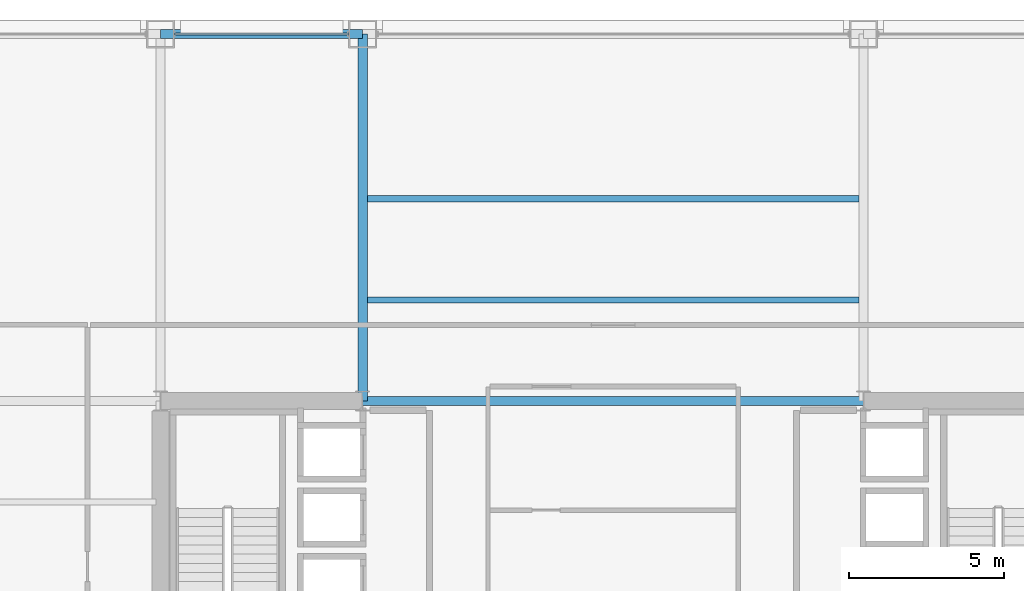
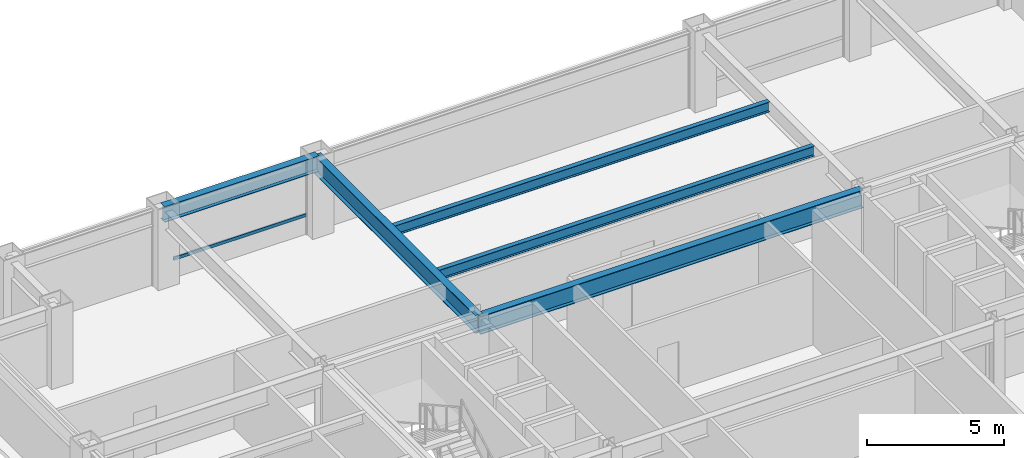
# One storey, part 18 of 29: 5 beams, 1 member, 1 element without a shape of its own.
"""IFC4 building model written with IfcOpenShell, lengths in metres."""

from ifc_helpers import new_model, si_unit, direction, frame, origin, origin_2d, place, context, subcontext, project, spatial, hollow_rectangle, i_section, extrude, material, layer, layer_set, material_profile, profile_set, type_object, element, aggregate, save


model = new_model("IFC4")

# Units and contexts
model_context = context("Model", 3, precision=1e-05, world=origin(), true_north=direction((0.0, 1.0)))
body_context = subcontext(model_context, "Body", "Model", "MODEL_VIEW")
ifc_project = project(units=[si_unit("LENGTHUNIT", "METRE"), si_unit("AREAUNIT", "SQUARE_METRE"), si_unit("VOLUMEUNIT", "CUBIC_METRE"), si_unit("PLANEANGLEUNIT", "RADIAN"), si_unit("MASSUNIT", "GRAM", prefix="KILO")], contexts=[model_context])

# Site, building, storey
site_placement = place(None, origin())
site = spatial("IfcSite", under=ifc_project, at=site_placement, CompositionType="ELEMENT")
building_placement = place(site_placement, origin())
building = spatial("IfcBuilding", under=site, at=building_placement, Name="Brelmoor Portico Tower", CompositionType="ELEMENT")
storey_placement = place(building_placement, frame((0.0, 0.0, 60.0)))
storey = spatial("IfcBuildingStorey", under=building, at=storey_placement, Name="L15", CompositionType="ELEMENT", Elevation=60.0)

# Beams
ifc_material_1 = material(Name="Steel Q355B", Category="steel")
ifc_material_profile_1 = material_profile(ifc_material_1, i_section(OverallWidth=0.199951171875, OverallDepth=0.449951171875, WebThickness=0.009033203125, FlangeThickness=0.013916015625, at=origin_2d()), Name="HN 450x200x9x14")
ifc_profile_set_1 = profile_set([ifc_material_profile_1], Name="Steel Q355B")
beam_type_1 = type_object("IfcBeamType", Name="BM-JS-450", PredefinedType="JOIST", material=ifc_profile_set_1)
for number, where, z_axis, x_axis, name in (
    (1, (-7.89990234375, 13.0, 3.175048828125), (1.0, 0.0, 0.0), (0.0, 1.0, 0.0), "L15 Secondary Composite Joist JS-C03"),
    (2, (-7.89990234375, 16.25, 3.175048828125), (1.0, 0.0, 0.0), (0.0, 1.0, 0.0), "L15 Secondary Composite Joist JS-C04"),
):
    element("IfcBeam", number, at=place(storey_placement, frame(where, z_axis=z_axis, x_axis=x_axis)), inside=storey, type_object=beam_type_1, Name=name, PredefinedType="JOIST", context=body_context, shape_type="SweptSolid", body=[
        extrude(i_section(OverallWidth=0.199951171875, OverallDepth=0.449951171875, WebThickness=0.009033203125, FlangeThickness=0.013916015625, at=origin_2d()), origin(), (0.0, 0.0, 1.0), 15.7998046875),
    ])
ifc_material_profile_2 = material_profile(ifc_material_1, i_section(OverallWidth=0.300048828125, OverallDepth=0.800048828125, WebThickness=0.013916015625, FlangeThickness=0.02587890625, at=origin_2d()), Name="HN 800x300x14x26")
ifc_profile_set_2 = profile_set([ifc_material_profile_2], Name="Steel Q355B")
beam_type_2 = type_object("IfcBeamType", Name="BM-PG-800", PredefinedType="BEAM", material=ifc_profile_set_2)
beam_1_placement = place(storey_placement, frame((-8.050048828125, 9.75, 3.0), z_axis=(0.0, 1.0, 0.0), x_axis=(-1.0, 0.0, 0.0)))
element("IfcBeam", 3, at=beam_1_placement, inside=storey, type_object=beam_type_2, Name="L15 Primary Floor Girder PG-08", PredefinedType="BEAM", context=body_context, shape_type="SweptSolid", body=[
    extrude(i_section(OverallWidth=0.300048828125, OverallDepth=0.800048828125, WebThickness=0.013916015625, FlangeThickness=0.02587890625, at=origin_2d()), origin(), (0.0, 0.0, 1.0), 11.800048828125),
])
beam_2_placement = place(storey_placement, frame((-8.050048828125, 9.75, 3.0), z_axis=(1.0, 0.0, 0.0), x_axis=(0.0, 1.0, 0.0)))
element("IfcBeam", 4, at=beam_2_placement, inside=storey, type_object=beam_type_2, Name="L15 Primary Floor Girder PG-29", PredefinedType="BEAM", context=body_context, shape_type="SweptSolid", body=[
    extrude(i_section(OverallWidth=0.300048828125, OverallDepth=0.800048828125, WebThickness=0.013916015625, FlangeThickness=0.02587890625, at=origin_2d()), origin(), (0.0, 0.0, 1.0), 16.10009765625),
])
ifc_material_profile_3 = material_profile(ifc_material_1, i_section(OverallWidth=0.300048828125, OverallDepth=0.699951171875, WebThickness=0.012939453125, FlangeThickness=0.02392578125, at=origin_2d()), Name="HN 700x300x13x24")
ifc_profile_set_3 = profile_set([ifc_material_profile_3], Name="Steel Q355B")
beam_type_3 = type_object("IfcBeamType", Name="BM-SP-700", PredefinedType="SPANDREL", material=ifc_profile_set_3)
beam_3_placement = place(storey_placement, frame((-14.550048828125, 21.550048828125, 3.050048828125), z_axis=(1.0, 0.0, 0.0), x_axis=(0.0, 1.0, 0.0)))
element("IfcBeam", 5, at=beam_3_placement, inside=storey, type_object=beam_type_3, Name="L15 Perimeter Spandrel Beam SP-11", PredefinedType="SPANDREL", context=body_context, shape_type="SweptSolid", body=[
    extrude(i_section(OverallWidth=0.300048828125, OverallDepth=0.699951171875, WebThickness=0.012939453125, FlangeThickness=0.02392578125, at=origin_2d()), origin(), (0.0, 0.0, 1.0), 6.5),
])

# Curtain wall, member
ifc_material_2 = material(Name="Anodised Aluminium Alloy 6063-T6", Category="aluminium")
ifc_layer = layer(ifc_material_2, 0.179931640625)
ifc_layer_set = layer_set([ifc_layer], Name="Anodised Aluminium Alloy 6063-T6")
curtain_wall_type = type_object("IfcCurtainWallType", Name="CW-TOWER-Z1", PredefinedType="NOTDEFINED", material=ifc_layer_set)
curtain_wall_placement = place(storey_placement, origin())
curtain_wall = element("IfcCurtainWall", 6, at=curtain_wall_placement, inside=storey, type_object=curtain_wall_type, Name="L15 Curtain Wall CW-L15-02-2", PredefinedType="NOTDEFINED")
ifc_material_profile_4 = material_profile(ifc_material_2, hollow_rectangle(XDim=0.06494140625, YDim=0.139892578125, WallThickness=0.00390625, at=origin_2d()), Name="ALU TRANSOM 65x140")
ifc_profile_set_4 = profile_set([ifc_material_profile_4], Name="Anodised Aluminium Alloy 6063-T6")
member_type = type_object("IfcMemberType", Name="MB-CW-TRAN-140", PredefinedType="USERDEFINED", material=ifc_profile_set_4)
member_placement = place(storey_placement, frame((-14.090087890625, 21.550048828125, 0.85009765625), z_axis=(1.0, 0.0, 0.0), x_axis=(0.0, 1.0, 0.0)))
member = element("IfcMember", 7, at=member_placement, type_object=member_type, Name="CW-L15-02-2 Transom 1-00", ObjectType="TRANSOM", PredefinedType="USERDEFINED", context=body_context, shape_type="SweptSolid", body=[
    extrude(hollow_rectangle(XDim=0.06494140625, YDim=0.139892578125, WallThickness=0.00390625, at=origin_2d()), origin(), (0.0, 0.0, 1.0), 5.580078125),
])
aggregate(curtain_wall, [member])

save(model, "model.ifc")
